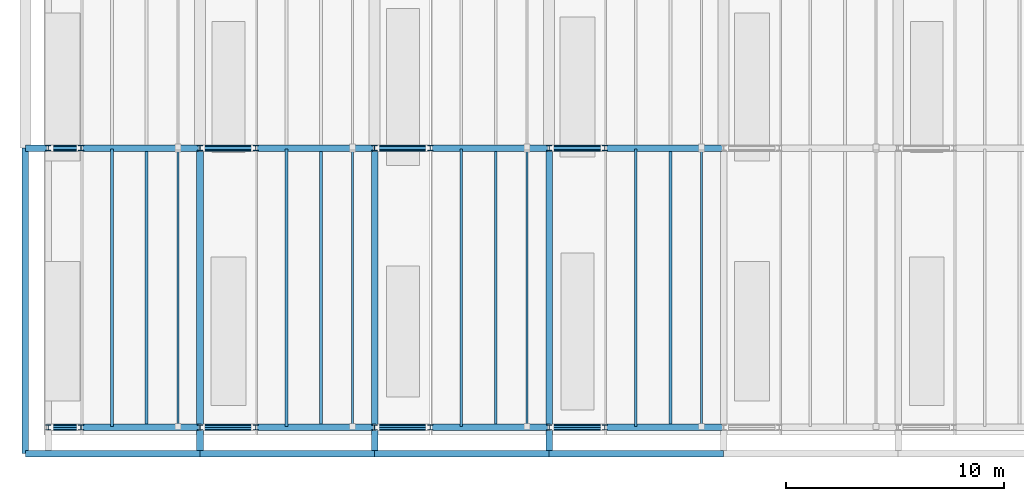
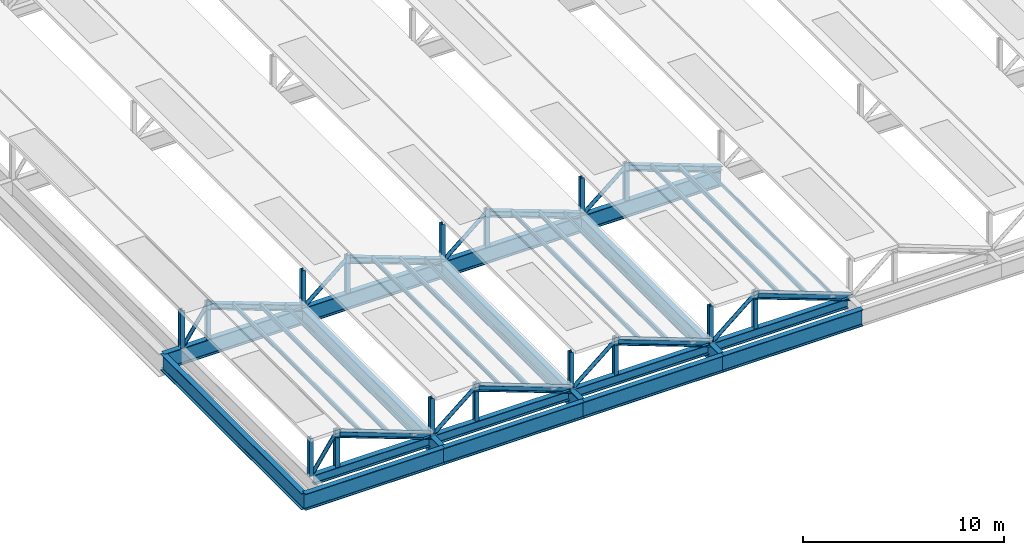
# One storey, part 1 of 14: 44 members, 16 beams.
"""IFC4 building model written with IfcOpenShell, lengths in metres."""

from ifc_helpers import new_model, si_unit, direction, frame, origin, origin_2d, place, context, subcontext, project, spatial, hollow_rectangle, hollow_circle, i_section, extrude, material, material_profile, profile_set, type_object, element, save


model = new_model("IFC4")

# Units and contexts
model_context = context("Model", 3, precision=1e-05, world=origin(), true_north=direction((0.0, 1.0)))
body_context = subcontext(model_context, "Body", "Model", "MODEL_VIEW")
ifc_project = project(units=[si_unit("LENGTHUNIT", "METRE"), si_unit("AREAUNIT", "SQUARE_METRE"), si_unit("VOLUMEUNIT", "CUBIC_METRE"), si_unit("PLANEANGLEUNIT", "RADIAN"), si_unit("MASSUNIT", "GRAM", prefix="KILO")], contexts=[model_context])

# Site, building, storey
site_placement = place(None, origin())
site = spatial("IfcSite", under=ifc_project, at=site_placement, CompositionType="ELEMENT")
building_placement = place(site_placement, origin())
building = spatial("IfcBuilding", under=site, at=building_placement, Name="Vekula Escarpment Museum", CompositionType="ELEMENT")
storey_placement = place(building_placement, frame((0.0, 0.0, 30.60009765625)))
storey = spatial("IfcBuildingStorey", under=building, at=storey_placement, Name="RF", CompositionType="ELEMENT", Elevation=30.60009765625)

# Beams
ifc_material_1 = material(Name="Steel S355", Category="steel")
ifc_material_profile_1 = material_profile(ifc_material_1, i_section(OverallWidth=0.300048828125, OverallDepth=0.60009765625, WebThickness=0.015380859375, FlangeThickness=0.030029296875, FilletRadius=0.027099609375, at=origin_2d()), Name="HEB 600")
ifc_profile_set_1 = profile_set([ifc_material_profile_1], Name="Steel S355")
beam_type_1 = type_object("IfcBeamType", Name="BM-GIRD-HEB600", PredefinedType="BEAM", material=ifc_profile_set_1)
beam_placement = place(storey_placement, frame((71.199951171875, 46.800048828125, -2.550048828125), z_axis=(1.0, 0.0, 0.0), x_axis=(0.0, 1.0, 0.0)))
element("IfcBeam", 1, at=beam_placement, inside=storey, type_object=beam_type_1, Name="Sawtooth Lantern Edge Girder RF 2458", PredefinedType="BEAM", context=body_context, shape_type="SweptSolid", body=[
    extrude(i_section(OverallWidth=0.300048828125, OverallDepth=0.60009765625, WebThickness=0.015380859375, FlangeThickness=0.030029296875, FilletRadius=0.027099609375, at=origin_2d()), origin(), (0.0, 0.0, 1.0), 6.650146484375),
])
for number, where, z_axis, x_axis, name in (
    (2, (78.14990234375, 46.800048828125, -2.550048828125), (1.0, 0.0, 0.0), (0.0, 1.0, 0.0), "Sawtooth Lantern Edge Girder RF 2459"),
    (3, (86.14990234375, 46.800048828125, -2.550048828125), (1.0, 0.0, 0.0), (0.0, 1.0, 0.0), "Sawtooth Lantern Edge Girder RF 2460"),
    (4, (94.14990234375, 46.800048828125, -2.550048828125), (1.0, 0.0, 0.0), (0.0, 1.0, 0.0), "Sawtooth Lantern Edge Girder RF 2461"),
):
    element("IfcBeam", number, at=place(storey_placement, frame(where, z_axis=z_axis, x_axis=x_axis)), inside=storey, type_object=beam_type_1, Name=name, PredefinedType="BEAM", context=body_context, shape_type="SweptSolid", body=[
        extrude(i_section(OverallWidth=0.300048828125, OverallDepth=0.60009765625, WebThickness=0.015380859375, FlangeThickness=0.030029296875, FilletRadius=0.027099609375, at=origin_2d()), origin(), (0.0, 0.0, 1.0), 7.7001953125),
    ])
ifc_material_2 = material(Name="Steel S355", Category="steel")
ifc_material_profile_2 = material_profile(ifc_material_2, i_section(OverallWidth=0.300048828125, OverallDepth=1.0, WebThickness=0.01904296875, FlangeThickness=0.035888671875, FilletRadius=0.030029296875, at=origin_2d()), Name="HEB 1000")
ifc_profile_set_2 = profile_set([ifc_material_profile_2], Name="Steel S355")
beam_type_2 = type_object("IfcBeamType", Name="BM-TRUSS-CHORD-BOT", PredefinedType="BEAM", material=ifc_profile_set_2)
for number, where, z_axis, x_axis, name in (
    (5, (70.0, 45.60009765625, -2.75), (1.0, 0.0, 0.0), (0.0, 1.0, 0.0), "Roof Tie Girder RF 2430"),
    (6, (78.0, 45.60009765625, -2.75), (1.0, 0.0, 0.0), (0.0, 1.0, 0.0), "Roof Tie Girder RF 2431"),
    (7, (86.0, 45.60009765625, -2.75), (1.0, 0.0, 0.0), (0.0, 1.0, 0.0), "Roof Tie Girder RF 2432"),
    (8, (94.0, 45.60009765625, -2.75), (1.0, 0.0, 0.0), (0.0, 1.0, 0.0), "Roof Tie Girder RF 2433"),
    (9, (70.0, 59.60009765625, -2.75), (1.0, 0.0, 0.0), (0.0, 1.0, 0.0), "Roof Tie Girder RF 2437"),
    (10, (78.0, 59.60009765625, -2.75), (1.0, 0.0, 0.0), (0.0, 1.0, 0.0), "Roof Tie Girder RF 2438"),
    (11, (86.0, 59.60009765625, -2.75), (1.0, 0.0, 0.0), (0.0, 1.0, 0.0), "Roof Tie Girder RF 2439"),
    (12, (94.0, 59.60009765625, -2.75), (1.0, 0.0, 0.0), (0.0, 1.0, 0.0), "Roof Tie Girder RF 2440"),
):
    element("IfcBeam", number, at=place(storey_placement, frame(where, z_axis=z_axis, x_axis=x_axis)), inside=storey, type_object=beam_type_2, Name=name, PredefinedType="BEAM", context=body_context, shape_type="SweptSolid", body=[
        extrude(i_section(OverallWidth=0.300048828125, OverallDepth=1.0, WebThickness=0.01904296875, FlangeThickness=0.035888671875, FilletRadius=0.030029296875, at=origin_2d()), origin(), (0.0, 0.0, 1.0), 8.0),
    ])
for number, where, z_axis, x_axis, name in (
    (13, (70.0, 45.60009765625, -2.75), (0.0, 1.0, 0.0), (-1.0, 0.0, 0.0), "Sawtooth Tie Girder RF 2474"),
    (14, (78.0, 45.60009765625, -2.75), (0.0, 1.0, 0.0), (-1.0, 0.0, 0.0), "Sawtooth Tie Girder RF 2477"),
    (15, (86.0, 45.60009765625, -2.75), (0.0, 1.0, 0.0), (-1.0, 0.0, 0.0), "Sawtooth Tie Girder RF 2480"),
    (16, (94.0, 45.60009765625, -2.75), (0.0, 1.0, 0.0), (-1.0, 0.0, 0.0), "Sawtooth Tie Girder RF 2483"),
):
    element("IfcBeam", number, at=place(storey_placement, frame(where, z_axis=z_axis, x_axis=x_axis)), inside=storey, type_object=beam_type_2, Name=name, PredefinedType="BEAM", context=body_context, shape_type="SweptSolid", body=[
        extrude(i_section(OverallWidth=0.300048828125, OverallDepth=1.0, WebThickness=0.01904296875, FlangeThickness=0.035888671875, FilletRadius=0.030029296875, at=origin_2d()), origin(), (0.0, 0.0, 1.0), 14.0),
    ])

# Members
ifc_material_3 = material(Name="Steel S355", Category="steel")
ifc_material_profile_3 = material_profile(ifc_material_3, i_section(OverallWidth=0.1201171875, OverallDepth=0.239990234375, WebThickness=0.006103515625, FlangeThickness=0.009765625, FilletRadius=0.014892578125, at=origin_2d()), Name="IPE 240")
ifc_profile_set_3 = profile_set([ifc_material_profile_3], Name="Steel S355")
member_type_1 = type_object("IfcMemberType", Name="MB-PURL-IPE240", PredefinedType="PURLIN", material=ifc_profile_set_3)
for number, where, z_axis, x_axis, name in (
    (17, (73.965087890625, 46.85009765625, -0.66015625), (0.0, 1.0, 0.0), (-1.0, 0.0, 0.0), "Sawtooth Roof Purlin 005"),
    (18, (81.965087890625, 46.85009765625, -0.66015625), (0.0, 1.0, 0.0), (-1.0, 0.0, 0.0), "Sawtooth Roof Purlin 018"),
    (19, (89.965087890625, 46.85009765625, -0.66015625), (0.0, 1.0, 0.0), (-1.0, 0.0, 0.0), "Sawtooth Roof Purlin 031"),
    (20, (97.965087890625, 46.85009765625, -0.66015625), (0.0, 1.0, 0.0), (-1.0, 0.0, 0.0), "Sawtooth Roof Purlin 044"),
):
    element("IfcMember", number, at=place(storey_placement, frame(where, z_axis=z_axis, x_axis=x_axis)), inside=storey, type_object=member_type_1, Name=name, PredefinedType="PURLIN", context=body_context, shape_type="SweptSolid", body=[
        extrude(i_section(OverallWidth=0.1201171875, OverallDepth=0.239990234375, WebThickness=0.006103515625, FlangeThickness=0.009765625, FilletRadius=0.014892578125, at=origin_2d()), origin(), (0.0, 0.0, 1.0), 12.699951171875),
    ])
ifc_material_4 = material(Name="Steel S355", Category="steel")
ifc_material_profile_4 = material_profile(ifc_material_4, i_section(OverallWidth=0.135009765625, OverallDepth=0.27001953125, WebThickness=0.006591796875, FlangeThickness=0.01025390625, FilletRadius=0.014892578125, at=origin_2d()), Name="IPE 270")
ifc_profile_set_4 = profile_set([ifc_material_profile_4], Name="Steel S355")
member_type_2 = type_object("IfcMemberType", Name="MB-PURL-IPE270", PredefinedType="PURLIN", material=ifc_profile_set_4)
for number, where, z_axis, x_axis, name in (
    (21, (75.554931640625, 46.85009765625, -1.275146484375), (0.0, 1.0, 0.0), (-1.0, 0.0, 0.0), "Sawtooth Roof Purlin 008"),
    (22, (83.554931640625, 46.85009765625, -1.275146484375), (0.0, 1.0, 0.0), (-1.0, 0.0, 0.0), "Sawtooth Roof Purlin 021"),
    (23, (91.554931640625, 46.85009765625, -1.275146484375), (0.0, 1.0, 0.0), (-1.0, 0.0, 0.0), "Sawtooth Roof Purlin 034"),
    (24, (99.554931640625, 46.85009765625, -1.275146484375), (0.0, 1.0, 0.0), (-1.0, 0.0, 0.0), "Sawtooth Roof Purlin 047"),
):
    element("IfcMember", number, at=place(storey_placement, frame(where, z_axis=z_axis, x_axis=x_axis)), inside=storey, type_object=member_type_2, Name=name, PredefinedType="PURLIN", context=body_context, shape_type="SweptSolid", body=[
        extrude(i_section(OverallWidth=0.135009765625, OverallDepth=0.27001953125, WebThickness=0.006591796875, FlangeThickness=0.01025390625, FilletRadius=0.014892578125, at=origin_2d()), origin(), (0.0, 0.0, 1.0), 12.699951171875),
    ])
ifc_material_5 = material(Name="Steel S355", Category="steel")
ifc_material_profile_5 = material_profile(ifc_material_5, hollow_rectangle(XDim=0.10009765625, YDim=0.199951171875, WallThickness=0.008056640625, InnerFilletRadius=0.008056640625, OuterFilletRadius=0.01611328125, at=origin_2d()), Name="RHS 200x100x8")
ifc_profile_set_5 = profile_set([ifc_material_profile_5], Name="Steel S355")
member_type_3 = type_object("IfcMemberType", Name="MB-PURL-RHS200", PredefinedType="PURLIN", material=ifc_profile_set_5)
for number, where, z_axis, x_axis, name in (
    (25, (76.986083984375, 46.85009765625, -1.780029296875), (0.0, 1.0, 0.0), (-1.0, 0.0, 0.0), "Sawtooth Roof Purlin 011"),
    (26, (84.986083984375, 46.85009765625, -1.780029296875), (0.0, 1.0, 0.0), (-1.0, 0.0, 0.0), "Sawtooth Roof Purlin 024"),
    (27, (92.986083984375, 46.85009765625, -1.780029296875), (0.0, 1.0, 0.0), (-1.0, 0.0, 0.0), "Sawtooth Roof Purlin 037"),
    (28, (100.986083984375, 46.85009765625, -1.780029296875), (0.0, 1.0, 0.0), (-1.0, 0.0, 0.0), "Sawtooth Roof Purlin 050"),
):
    element("IfcMember", number, at=place(storey_placement, frame(where, z_axis=z_axis, x_axis=x_axis)), inside=storey, type_object=member_type_3, Name=name, PredefinedType="PURLIN", context=body_context, shape_type="SweptSolid", body=[
        extrude(hollow_rectangle(XDim=0.10009765625, YDim=0.199951171875, WallThickness=0.008056640625, InnerFilletRadius=0.008056640625, OuterFilletRadius=0.01611328125, at=origin_2d()), origin(), (0.0, 0.0, 1.0), 12.699951171875),
    ])
ifc_material_6 = material(Name="Steel S355", Category="steel")
ifc_material_profile_6 = material_profile(ifc_material_6, i_section(OverallWidth=0.300048828125, OverallDepth=0.360107421875, WebThickness=0.012451171875, FlangeThickness=0.0224609375, FilletRadius=0.027099609375, at=origin_2d()), Name="HEB 360")
ifc_profile_set_6 = profile_set([ifc_material_profile_6], Name="Steel S355")
member_type_4 = type_object("IfcMemberType", Name="MB-SAW-CHORD", PredefinedType="CHORD", material=ifc_profile_set_6)
for number, where, z_axis, x_axis, name in (
    (29, (72.550048828125, 46.800048828125, -0.260009765625), (0.938223943436, 0.0, -0.346028657721), (0.0, 1.0, 0.0), "Sawtooth Rafter 001"),
    (30, (72.550048828125, 59.60009765625, -0.260009765625), (0.938223943436, 0.0, -0.346028657721), (0.0, 1.0, 0.0), "Sawtooth Rafter 002"),
    (31, (80.550048828125, 46.800048828125, -0.260009765625), (0.938223943436, 0.0, -0.346028657721), (0.0, 1.0, 0.0), "Sawtooth Rafter 014"),
    (32, (80.550048828125, 59.60009765625, -0.260009765625), (0.938223943436, 0.0, -0.346028657721), (0.0, 1.0, 0.0), "Sawtooth Rafter 015"),
    (33, (88.550048828125, 46.800048828125, -0.260009765625), (0.938223943436, 0.0, -0.346028657721), (0.0, 1.0, 0.0), "Sawtooth Rafter 027"),
    (34, (88.550048828125, 59.60009765625, -0.260009765625), (0.938223943436, 0.0, -0.346028657721), (0.0, 1.0, 0.0), "Sawtooth Rafter 028"),
    (35, (96.550048828125, 46.800048828125, -0.260009765625), (0.938223943436, 0.0, -0.346028657721), (0.0, 1.0, 0.0), "Sawtooth Rafter 040"),
    (36, (96.550048828125, 59.60009765625, -0.260009765625), (0.938223943436, 0.0, -0.346028657721), (0.0, 1.0, 0.0), "Sawtooth Rafter 041"),
):
    element("IfcMember", number, at=place(storey_placement, frame(where, z_axis=z_axis, x_axis=x_axis)), inside=storey, type_object=member_type_4, Name=name, PredefinedType="CHORD", context=body_context, shape_type="SweptSolid", body=[
        extrude(i_section(OverallWidth=0.300048828125, OverallDepth=0.360107421875, WebThickness=0.012451171875, FlangeThickness=0.0224609375, FilletRadius=0.027099609375, at=origin_2d()), origin(), (0.0, 0.0, 1.0), 5.808837890625),
    ])
ifc_material_7 = material(Name="Steel S355", Category="steel")
ifc_material_profile_7 = material_profile(ifc_material_7, hollow_circle(Radius=0.109619140625, WallThickness=0.010009765625, at=origin_2d()), Name="CHS 219.1x10")
ifc_profile_set_7 = profile_set([ifc_material_profile_7], Name="Steel S355")
member_type_5 = type_object("IfcMemberType", Name="MB-SAW-DIAG", PredefinedType="BRACE", material=ifc_profile_set_7)
for number, where, z_axis, x_axis, name in (
    (37, (71.1298828125, 46.800048828125, -2.27001953125), (0.560421003416, 0.0, 0.828207883885), (0.0, 1.0, 0.0), "Sawtooth Roof Truss Diagonal 001"),
    (38, (71.1298828125, 59.60009765625, -2.27001953125), (0.560421003416, 0.0, 0.828207883885), (0.0, 1.0, 0.0), "Sawtooth Roof Truss Diagonal 002"),
):
    element("IfcMember", number, at=place(storey_placement, frame(where, z_axis=z_axis, x_axis=x_axis)), inside=storey, type_object=member_type_5, Name=name, PredefinedType="BRACE", context=body_context, shape_type="SweptSolid", body=[
        extrude(hollow_circle(Radius=0.109619140625, WallThickness=0.010009765625, at=origin_2d()), origin(), (0.0, 0.0, 1.0), 2.427001953125),
    ])
for number, where, z_axis, x_axis, name in (
    (39, (78.080078125, 46.800048828125, -2.27001953125), (0.767947002011, 0.0, 0.64051338948), (0.0, 1.0, 0.0), "Sawtooth Roof Truss Diagonal 014"),
    (40, (78.080078125, 59.60009765625, -2.27001953125), (0.767947002011, 0.0, 0.64051338948), (0.0, 1.0, 0.0), "Sawtooth Roof Truss Diagonal 015"),
    (41, (86.080078125, 46.800048828125, -2.27001953125), (0.767947002011, 0.0, 0.64051338948), (0.0, 1.0, 0.0), "Sawtooth Roof Truss Diagonal 027"),
    (42, (86.080078125, 59.60009765625, -2.27001953125), (0.767947002011, 0.0, 0.64051338948), (0.0, 1.0, 0.0), "Sawtooth Roof Truss Diagonal 028"),
    (43, (94.080078125, 46.800048828125, -2.27001953125), (0.767947002011, 0.0, 0.64051338948), (0.0, 1.0, 0.0), "Sawtooth Roof Truss Diagonal 040"),
    (44, (94.080078125, 59.60009765625, -2.27001953125), (0.767947002011, 0.0, 0.64051338948), (0.0, 1.0, 0.0), "Sawtooth Roof Truss Diagonal 041"),
):
    element("IfcMember", number, at=place(storey_placement, frame(where, z_axis=z_axis, x_axis=x_axis)), inside=storey, type_object=member_type_5, Name=name, PredefinedType="BRACE", context=body_context, shape_type="SweptSolid", body=[
        extrude(hollow_circle(Radius=0.109619140625, WallThickness=0.010009765625, at=origin_2d()), origin(), (0.0, 0.0, 1.0), 3.13818359375),
    ])
ifc_material_8 = material(Name="Steel S355", Category="steel")
ifc_material_profile_8 = material_profile(ifc_material_8, i_section(OverallWidth=0.239990234375, OverallDepth=0.239990234375, WebThickness=0.010009765625, FlangeThickness=0.01708984375, FilletRadius=0.02099609375, at=origin_2d()), Name="HEB 240")
ifc_profile_set_8 = profile_set([ifc_material_profile_8], Name="Steel S355")
member_type_6 = type_object("IfcMemberType", Name="MB-SAW-POST", PredefinedType="STRUT", material=ifc_profile_set_8)
for number, where, z_axis, x_axis, name in (
    (45, (71.050048828125, 46.800048828125, -2.27001953125), (0.0, 0.0, 1.0), (1.0, 0.0, 0.0), "Sawtooth North Post 001"),
    (46, (72.550048828125, 46.800048828125, -2.27001953125), (0.0, 0.0, 1.0), (1.0, 0.0, 0.0), "Sawtooth Monitor Post 001"),
    (47, (71.050048828125, 59.60009765625, -2.27001953125), (0.0, 0.0, 1.0), (1.0, 0.0, 0.0), "Sawtooth North Post 002"),
    (48, (72.550048828125, 59.60009765625, -2.27001953125), (0.0, 0.0, 1.0), (1.0, 0.0, 0.0), "Sawtooth Monitor Post 002"),
    (49, (78.0, 46.800048828125, -2.27001953125), (0.0, 0.0, 1.0), (1.0, 0.0, 0.0), "Sawtooth North Post 014"),
    (50, (80.550048828125, 46.800048828125, -2.27001953125), (0.0, 0.0, 1.0), (1.0, 0.0, 0.0), "Sawtooth Monitor Post 014"),
    (51, (78.0, 59.60009765625, -2.27001953125), (0.0, 0.0, 1.0), (1.0, 0.0, 0.0), "Sawtooth North Post 015"),
    (52, (80.550048828125, 59.60009765625, -2.27001953125), (0.0, 0.0, 1.0), (1.0, 0.0, 0.0), "Sawtooth Monitor Post 015"),
    (53, (86.0, 46.800048828125, -2.27001953125), (0.0, 0.0, 1.0), (1.0, 0.0, 0.0), "Sawtooth North Post 027"),
    (54, (88.550048828125, 46.800048828125, -2.27001953125), (0.0, 0.0, 1.0), (1.0, 0.0, 0.0), "Sawtooth Monitor Post 027"),
    (55, (86.0, 59.60009765625, -2.27001953125), (0.0, 0.0, 1.0), (1.0, 0.0, 0.0), "Sawtooth North Post 028"),
    (56, (88.550048828125, 59.60009765625, -2.27001953125), (0.0, 0.0, 1.0), (1.0, 0.0, 0.0), "Sawtooth Monitor Post 028"),
    (57, (94.0, 46.800048828125, -2.27001953125), (0.0, 0.0, 1.0), (1.0, 0.0, 0.0), "Sawtooth North Post 040"),
    (58, (96.550048828125, 46.800048828125, -2.27001953125), (0.0, 0.0, 1.0), (1.0, 0.0, 0.0), "Sawtooth Monitor Post 040"),
    (59, (94.0, 59.60009765625, -2.27001953125), (0.0, 0.0, 1.0), (1.0, 0.0, 0.0), "Sawtooth North Post 041"),
    (60, (96.550048828125, 59.60009765625, -2.27001953125), (0.0, 0.0, 1.0), (1.0, 0.0, 0.0), "Sawtooth Monitor Post 041"),
):
    element("IfcMember", number, at=place(storey_placement, frame(where, z_axis=z_axis, x_axis=x_axis)), inside=storey, type_object=member_type_6, Name=name, PredefinedType="STRUT", context=body_context, shape_type="SweptSolid", body=[
        extrude(i_section(OverallWidth=0.239990234375, OverallDepth=0.239990234375, WebThickness=0.010009765625, FlangeThickness=0.01708984375, FilletRadius=0.02099609375, at=origin_2d()), origin(), (0.0, 0.0, 1.0), 2.2900390625),
    ])

save(model, "model.ifc")
